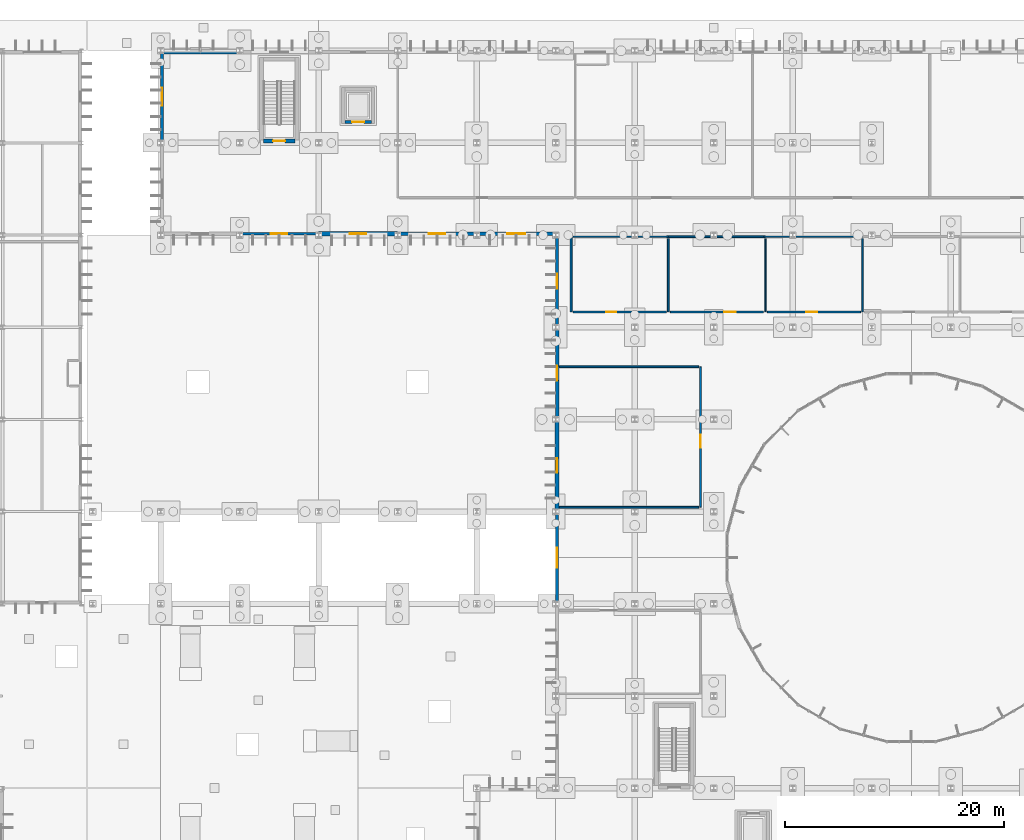
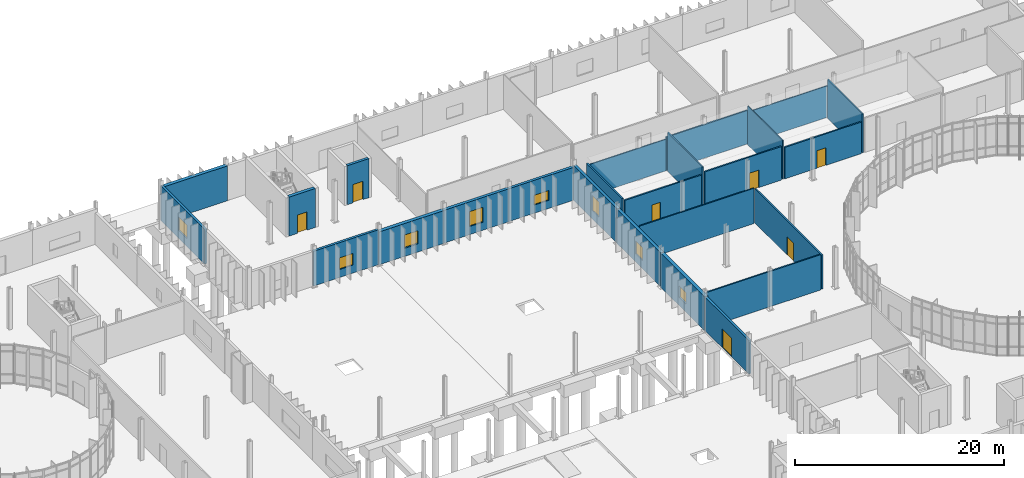
# One storey, part 96 of 118: 25 walls, 8 windows, 7 doors, 15 openings.
"""IFC4 building model written with IfcOpenShell, lengths in metres."""

from ifc_helpers import new_model, si_unit, direction, frame, frame_2d, origin, place, context, subcontext, project, spatial, rectangle, extrude, material, layer, layer_set, type_object, element, fill, save


model = new_model("IFC4")

# Units and contexts
model_context = context("Model", 3, precision=1e-05, world=origin(), true_north=direction((0.0, 1.0)))
body_context = subcontext(model_context, "Body", "Model", "MODEL_VIEW")
ifc_project = project(units=[si_unit("LENGTHUNIT", "METRE"), si_unit("AREAUNIT", "SQUARE_METRE"), si_unit("VOLUMEUNIT", "CUBIC_METRE"), si_unit("PLANEANGLEUNIT", "RADIAN"), si_unit("MASSUNIT", "GRAM", prefix="KILO")], contexts=[model_context])

# Site, building, storey
site_placement = place(None, origin())
site = spatial("IfcSite", under=ifc_project, at=site_placement, CompositionType="ELEMENT")
building_placement = place(site_placement, origin())
building = spatial("IfcBuilding", under=site, at=building_placement, Name="Qelthora Terrace Specialist Clinic", CompositionType="ELEMENT")
storey_placement = place(building_placement, origin())
storey = spatial("IfcBuildingStorey", under=building, at=storey_placement, Name="L00", CompositionType="ELEMENT", Elevation=0.0)

# Wall, opening, door
ifc_material_1 = material(Name="Concrete C40/50", Category="concrete")
ifc_layer_1 = layer(ifc_material_1, 0.300048828125)
ifc_layer_set_1 = layer_set([ifc_layer_1], Name="Concrete C40/50")
wall_type_1 = type_object("IfcWallType", Name="WAL-CORE-300-C40", PredefinedType="SHEAR", material=ifc_layer_set_1)
wall_1_placement = place(storey_placement, frame((74.39990234375, 102.699951171875, 0.0), z_axis=(0.0, 0.0, 1.0), x_axis=(1.0, 0.0, 0.0)))
wall_1 = element("IfcWall", 1, at=wall_1_placement, inside=storey, type_object=wall_type_1, Name="Lift PL-04 L00 south shaft wall", PredefinedType="SHEAR", context=body_context, shape_type="SweptSolid", body=[
    extrude(rectangle(XDim=2.400146484375, YDim=0.300048828125, at=frame_2d((1.2001953125, 0.0))), origin(), (0.0, 0.0, 1.0), 4.570068359375),
])
opening_1_placement = place(wall_1_placement, frame((0.64990234375, 0.0, 0.0)))
opening_1 = element("IfcOpeningElement", 2, at=opening_1_placement, cuts=wall_1, Name="Opening LD-PL-04-L00", PredefinedType="OPENING", context=body_context, shape_type="SweptSolid", body=[
    extrude(rectangle(XDim=1.10009765625, YDim=2.14990234375, at=frame_2d((0.550048828125, 1.074951171875))), frame((0.0, 0.159912109375, 0.0), z_axis=(0.0, -1.0, 0.0), x_axis=(1.0, 0.0, 0.0)), (0.0, 0.0, 1.0), 0.320068359375),
])
ifc_material_2 = material(Name="Steel S355", Category="steel")
door_type_1 = type_object("IfcDoorType", Name="DOR-LIFT-1100X2150", OperationType="NOTDEFINED", PredefinedType="DOOR", material=ifc_material_2)
door_1_placement = place(opening_1_placement, origin())
door_1 = element("IfcDoor", 3, at=door_1_placement, inside=storey, type_object=door_type_1, Name="Lift landing sliding door LD-PL-04-L00", OperationType="DOUBLE_DOOR_SLIDING", OverallHeight=2.14990234375, OverallWidth=1.10009765625, PredefinedType="DOOR", context=body_context, shape_type="SweptSolid", body=[
    extrude(rectangle(XDim=1.10009765625, YDim=2.14990234375, at=frame_2d((0.550048828125, 1.074951171875))), frame((0.0, 0.02490234375, 0.0), z_axis=(0.0, -1.0, 0.0), x_axis=(1.0, 0.0, 0.0)), (0.0, 0.0, 1.0), 0.050048828125),
])
fill(opening_1, door_1)

ifc_layer_2 = layer(ifc_material_1, 0.35009765625)
ifc_layer_set_2 = layer_set([ifc_layer_2], Name="Concrete C40/50")
wall_type_2 = type_object("IfcWallType", Name="WAL-CORE-350-C40", PredefinedType="SHEAR", material=ifc_layer_set_2)
wall_2_placement = place(storey_placement, frame((66.949951171875, 100.97509765625, 0.0), z_axis=(0.0, 0.0, 1.0), x_axis=(1.0, 0.0, 0.0)))
wall_2 = element("IfcWall", 4, at=wall_2_placement, inside=storey, type_object=wall_type_2, Name="ST-07 L00 south shear core wall", PredefinedType="SHEAR", context=body_context, shape_type="SweptSolid", body=[
    extrude(rectangle(XDim=2.900146484375, YDim=0.35009765625, at=frame_2d((1.4501953125, 0.0))), origin(), (0.0, 0.0, 1.0), 4.570068359375),
])
opening_2_placement = place(wall_2_placement, frame((0.89990234375, 0.0, 0.0)))
opening_2 = element("IfcOpeningElement", 5, at=opening_2_placement, cuts=wall_2, Name="Opening D-ST-07-L00", PredefinedType="OPENING", context=body_context, shape_type="SweptSolid", body=[
    extrude(rectangle(XDim=1.10009765625, YDim=2.14990234375, at=frame_2d((0.550048828125, 1.074951171875))), frame((0.0, 0.18505859375, 0.0), z_axis=(0.0, -1.0, 0.0), x_axis=(1.0, 0.0, 0.0)), (0.0, 0.0, 1.0), 0.3701171875),
])
door_type_2 = type_object("IfcDoorType", Name="DOR-STAIR-1100X2150", OperationType="NOTDEFINED", PredefinedType="DOOR", material=ifc_material_2)
door_2_placement = place(opening_2_placement, frame((1.10009765625, 0.0, 0.0), z_axis=(0.0, 0.0, 1.0), x_axis=(-1.0, 0.0, 0.0)))
door_2 = element("IfcDoor", 6, at=door_2_placement, inside=storey, type_object=door_type_2, Name="Stair fire door D-ST-07-L00", OperationType="SINGLE_SWING_LEFT", OverallHeight=2.14990234375, OverallWidth=1.10009765625, PredefinedType="DOOR", context=body_context, shape_type="SweptSolid", body=[
    extrude(rectangle(XDim=1.10009765625, YDim=2.14990234375, at=frame_2d((0.550048828125, 1.074951171875))), frame((0.0, 0.02490234375, 0.0), z_axis=(0.0, -1.0, 0.0), x_axis=(1.0, 0.0, 0.0)), (0.0, 0.0, 1.0), 0.050048828125),
])
fill(opening_2, door_2)

ifc_material_3 = material(Name="Precast concrete C40/50", Category="concrete")
ifc_layer_3 = layer(ifc_material_3, 0.260009765625)
ifc_layer_set_3 = layer_set([ifc_layer_3], Name="Precast concrete C40/50")
wall_type_3 = type_object("IfcWallType", Name="WAL-EXT-260-PC40", PredefinedType="SOLIDWALL", material=ifc_layer_set_3)
wall_3_placement = place(storey_placement, frame((93.719970703125, 58.800048828125, 0.0), z_axis=(0.0, 0.0, 1.0), x_axis=(0.0, 1.0, 0.0)))
wall_3 = element("IfcWall", 7, at=wall_3_placement, inside=storey, type_object=wall_type_3, Name="L00 external precast wall 14", PredefinedType="SOLIDWALL", context=body_context, shape_type="SweptSolid", body=[
    extrude(rectangle(XDim=8.39990234375, YDim=0.260009765625, at=frame_2d((4.199951171875, 0.0))), origin(), (0.0, 0.0, 1.0), 3.925048828125),
])
opening_3_placement = place(wall_3_placement, frame((3.300048828125, 0.0, 0.0)))
opening_3 = element("IfcOpeningElement", 8, at=opening_3_placement, cuts=wall_3, Name="Opening DE-V4CRT-01", PredefinedType="OPENING", context=body_context, shape_type="SweptSolid", body=[
    extrude(rectangle(XDim=1.800048828125, YDim=2.199951171875, at=frame_2d((0.89990234375, 1.10009765625))), frame((0.0, 0.139892578125, 0.0), z_axis=(0.0, -1.0, 0.0), x_axis=(1.0, 0.0, 0.0)), (0.0, 0.0, 1.0), 0.280029296875),
])
door_type_3 = type_object("IfcDoorType", Name="DOR-EXT-1800X2200", OperationType="NOTDEFINED", PredefinedType="DOOR", material=ifc_material_2)
door_3_placement = place(opening_3_placement, origin())
door_3 = element("IfcDoor", 9, at=door_3_placement, inside=storey, type_object=door_type_3, Name="Exterior entrance/exit door DE-V4CRT-01", OperationType="DOUBLE_DOOR_SINGLE_SWING", OverallHeight=2.199951171875, OverallWidth=1.800048828125, PredefinedType="DOOR", context=body_context, shape_type="SweptSolid", body=[
    extrude(rectangle(XDim=1.800048828125, YDim=2.199951171875, at=frame_2d((0.89990234375, 1.10009765625))), frame((0.0, 0.02490234375, 0.0), z_axis=(0.0, -1.0, 0.0), x_axis=(1.0, 0.0, 0.0)), (0.0, 0.0, 1.0), 0.050048828125),
])
fill(opening_3, door_3)

# Wall, opening, window
wall_4_placement = place(storey_placement, frame((64.800048828125, 92.52001953125, 0.0), z_axis=(0.0, 0.0, 1.0), x_axis=(1.0, 0.0, 0.0)))
wall_4 = element("IfcWall", 10, at=wall_4_placement, inside=storey, type_object=wall_type_3, Name="L00 external precast wall 19", PredefinedType="SOLIDWALL", context=body_context, shape_type="SweptSolid", body=[
    extrude(rectangle(XDim=7.199951171875, YDim=0.260009765625, at=frame_2d((3.60009765625, 0.0))), origin(), (0.0, 0.0, 1.0), 4.08203125),
])
opening_4_placement = place(wall_4_placement, frame((2.85009765625, 0.0, 0.949951171875)))
opening_4 = element("IfcOpeningElement", 11, at=opening_4_placement, cuts=wall_4, Name="Opening WN-L00-014", PredefinedType="OPENING", context=body_context, shape_type="SweptSolid", body=[
    extrude(rectangle(XDim=1.5, YDim=1.35009765625, at=frame_2d((0.75, 0.675048828125))), frame((0.0, 0.139892578125, 0.0), z_axis=(0.0, -1.0, 0.0), x_axis=(1.0, 0.0, 0.0)), (0.0, 0.0, 1.0), 0.280029296875),
])
ifc_material_4 = material(Name="Low-E triple-silver insulating glass", Category="glass")
window_type_1 = type_object("IfcWindowType", Name="WIN-1500X1350", PartitioningType="SINGLE_PANEL", PredefinedType="WINDOW", material=ifc_material_4)
window_1_placement = place(opening_4_placement, origin())
window_1 = element("IfcWindow", 12, at=window_1_placement, inside=storey, type_object=window_type_1, Name="Clinical window WN-L00-014", OverallHeight=1.35009765625, OverallWidth=1.5, PartitioningType="SINGLE_PANEL", PredefinedType="WINDOW", context=body_context, shape_type="SweptSolid", body=[
    extrude(rectangle(XDim=1.5, YDim=1.35009765625, at=frame_2d((0.75, 0.675048828125))), frame((0.0, 0.030029296875, 0.0), z_axis=(0.0, -1.0, 0.0), x_axis=(1.0, 0.0, 0.0)), (0.0, 0.0, 1.0), 0.06005859375),
])
fill(opening_4, window_1)

wall_5_placement = place(storey_placement, frame((57.719970703125, 100.800048828125, 0.0), z_axis=(0.0, 0.0, 1.0), x_axis=(0.0, 1.0, 0.0)))
wall_5 = element("IfcWall", 13, at=wall_5_placement, inside=storey, type_object=wall_type_3, Name="L00 external precast wall 24", PredefinedType="SOLIDWALL", context=body_context, shape_type="SweptSolid", body=[
    extrude(rectangle(XDim=8.39990234375, YDim=0.260009765625, at=frame_2d((4.199951171875, 0.0))), origin(), (0.0, 0.0, 1.0), 4.08203125),
])
opening_5_placement = place(wall_5_placement, frame((3.375, 0.0, 0.949951171875)))
opening_5 = element("IfcOpeningElement", 14, at=opening_5_placement, cuts=wall_5, Name="Opening WN-L00-019", PredefinedType="OPENING", context=body_context, shape_type="SweptSolid", body=[
    extrude(rectangle(XDim=1.64990234375, YDim=1.550048828125, at=frame_2d((0.824951171875, 0.77490234375))), frame((0.0, 0.139892578125, 0.0), z_axis=(0.0, -1.0, 0.0), x_axis=(1.0, 0.0, 0.0)), (0.0, 0.0, 1.0), 0.280029296875),
])
window_type_2 = type_object("IfcWindowType", Name="WIN-1650X1550", PartitioningType="DOUBLE_PANEL_VERTICAL", PredefinedType="WINDOW", material=ifc_material_4)
window_2_placement = place(opening_5_placement, origin())
window_2 = element("IfcWindow", 15, at=window_2_placement, inside=storey, type_object=window_type_2, Name="Clinical window WN-L00-019", OverallHeight=1.550048828125, OverallWidth=1.64990234375, PartitioningType="SINGLE_PANEL", PredefinedType="WINDOW", context=body_context, shape_type="SweptSolid", body=[
    extrude(rectangle(XDim=1.64990234375, YDim=1.550048828125, at=frame_2d((0.824951171875, 0.77490234375))), frame((0.0, 0.030029296875, 0.0), z_axis=(0.0, -1.0, 0.0), x_axis=(1.0, 0.0, 0.0)), (0.0, 0.0, 1.0), 0.06005859375),
])
fill(opening_5, window_2)

ifc_layer_4 = layer(ifc_material_3, 0.300048828125)
ifc_layer_set_4 = layer_set([ifc_layer_4], Name="Precast concrete C40/50")
wall_type_4 = type_object("IfcWallType", Name="WAL-EXT-300-PC40", PredefinedType="SOLIDWALL", material=ifc_layer_set_4)
wall_6_placement = place(storey_placement, frame((93.719970703125, 84.0, 0.0), z_axis=(0.0, 0.0, 1.0), x_axis=(0.0, 1.0, 0.0)))
wall_6 = element("IfcWall", 16, at=wall_6_placement, inside=storey, type_object=wall_type_4, Name="L00 external precast wall 17", PredefinedType="SOLIDWALL", context=body_context, shape_type="SweptSolid", body=[
    extrude(rectangle(XDim=8.39990234375, YDim=0.300048828125, at=frame_2d((4.199951171875, 0.0))), origin(), (0.0, 0.0, 1.0), 4.075927734375),
])
opening_6_placement = place(wall_6_placement, frame((3.52490234375, 0.0, 0.949951171875)))
opening_6 = element("IfcOpeningElement", 17, at=opening_6_placement, cuts=wall_6, Name="Opening WN-L00-012", PredefinedType="OPENING", context=body_context, shape_type="SweptSolid", body=[
    extrude(rectangle(XDim=1.35009765625, YDim=1.75, at=frame_2d((0.675048828125, 0.875))), frame((0.0, 0.159912109375, 0.0), z_axis=(0.0, -1.0, 0.0), x_axis=(1.0, 0.0, 0.0)), (0.0, 0.0, 1.0), 0.320068359375),
])
window_type_3 = type_object("IfcWindowType", Name="WIN-1350X1750", PartitioningType="SINGLE_PANEL", PredefinedType="WINDOW", material=ifc_material_4)
window_3_placement = place(opening_6_placement, origin())
window_3 = element("IfcWindow", 18, at=window_3_placement, inside=storey, type_object=window_type_3, Name="Clinical window WN-L00-012", OverallHeight=1.75, OverallWidth=1.35009765625, PartitioningType="SINGLE_PANEL", PredefinedType="WINDOW", context=body_context, shape_type="SweptSolid", body=[
    extrude(rectangle(XDim=1.35009765625, YDim=1.75, at=frame_2d((0.675048828125, 0.875))), frame((0.0, 0.030029296875, 0.0), z_axis=(0.0, -1.0, 0.0), x_axis=(1.0, 0.0, 0.0)), (0.0, 0.0, 1.0), 0.06005859375),
])
fill(opening_6, window_3)

wall_7_placement = place(storey_placement, frame((86.39990234375, 92.52001953125, 0.0), z_axis=(0.0, 0.0, 1.0), x_axis=(1.0, 0.0, 0.0)))
wall_7 = element("IfcWall", 19, at=wall_7_placement, inside=storey, type_object=wall_type_4, Name="L00 external precast wall 22", PredefinedType="SOLIDWALL", context=body_context, shape_type="SweptSolid", body=[
    extrude(rectangle(XDim=7.2001953125, YDim=0.300048828125, at=frame_2d((3.60009765625, 0.0))), origin(), (0.0, 0.0, 1.0), 3.84912109375),
])
opening_7_placement = place(wall_7_placement, frame((2.77490234375, 0.0, 0.949951171875)))
opening_7 = element("IfcOpeningElement", 20, at=opening_7_placement, cuts=wall_7, Name="Opening WN-L00-017", PredefinedType="OPENING", context=body_context, shape_type="SweptSolid", body=[
    extrude(rectangle(XDim=1.64990234375, YDim=1.14990234375, at=frame_2d((0.824951171875, 0.574951171875))), frame((0.0, 0.159912109375, 0.0), z_axis=(0.0, -1.0, 0.0), x_axis=(1.0, 0.0, 0.0)), (0.0, 0.0, 1.0), 0.320068359375),
])
window_type_4 = type_object("IfcWindowType", Name="WIN-1650X1150", PartitioningType="DOUBLE_PANEL_VERTICAL", PredefinedType="WINDOW", material=ifc_material_4)
window_4_placement = place(opening_7_placement, origin())
window_4 = element("IfcWindow", 21, at=window_4_placement, inside=storey, type_object=window_type_4, Name="Clinical window WN-L00-017", OverallHeight=1.14990234375, OverallWidth=1.64990234375, PartitioningType="SINGLE_PANEL", PredefinedType="WINDOW", context=body_context, shape_type="SweptSolid", body=[
    extrude(rectangle(XDim=1.64990234375, YDim=1.14990234375, at=frame_2d((0.824951171875, 0.574951171875))), frame((0.0, 0.030029296875, 0.0), z_axis=(0.0, -1.0, 0.0), x_axis=(1.0, 0.0, 0.0)), (0.0, 0.0, 1.0), 0.06005859375),
])
fill(opening_7, window_4)

ifc_layer_5 = layer(ifc_material_3, 0.320068359375)
ifc_layer_set_5 = layer_set([ifc_layer_5], Name="Precast concrete C40/50")
wall_type_5 = type_object("IfcWallType", Name="WAL-EXT-320-PC40", PredefinedType="SOLIDWALL", material=ifc_layer_set_5)
wall_8_placement = place(storey_placement, frame((93.719970703125, 75.60009765625, 0.0), z_axis=(0.0, 0.0, 1.0), x_axis=(0.0, 1.0, 0.0)))
wall_8 = element("IfcWall", 22, at=wall_8_placement, inside=storey, type_object=wall_type_5, Name="L00 external precast wall 16", PredefinedType="SOLIDWALL", context=body_context, shape_type="SweptSolid", body=[
    extrude(rectangle(XDim=8.39990234375, YDim=0.320068359375, at=frame_2d((4.199951171875, 0.0))), origin(), (0.0, 0.0, 1.0), 4.0048828125),
])
opening_8_placement = place(wall_8_placement, frame((3.52490234375, 0.0, 0.949951171875)))
opening_8 = element("IfcOpeningElement", 23, at=opening_8_placement, cuts=wall_8, Name="Opening WN-L00-011", PredefinedType="OPENING", context=body_context, shape_type="SweptSolid", body=[
    extrude(rectangle(XDim=1.35009765625, YDim=1.550048828125, at=frame_2d((0.675048828125, 0.77490234375))), frame((0.0, 0.169921875, 0.0), z_axis=(0.0, -1.0, 0.0), x_axis=(1.0, 0.0, 0.0)), (0.0, 0.0, 1.0), 0.340087890625),
])
window_type_5 = type_object("IfcWindowType", Name="WIN-1350X1550", PartitioningType="SINGLE_PANEL", PredefinedType="WINDOW", material=ifc_material_4)
window_5_placement = place(opening_8_placement, origin())
window_5 = element("IfcWindow", 24, at=window_5_placement, inside=storey, type_object=window_type_5, Name="Clinical window WN-L00-011", OverallHeight=1.550048828125, OverallWidth=1.35009765625, PartitioningType="SINGLE_PANEL", PredefinedType="WINDOW", context=body_context, shape_type="SweptSolid", body=[
    extrude(rectangle(XDim=1.35009765625, YDim=1.550048828125, at=frame_2d((0.675048828125, 0.77490234375))), frame((0.0, 0.030029296875, 0.0), z_axis=(0.0, -1.0, 0.0), x_axis=(1.0, 0.0, 0.0)), (0.0, 0.0, 1.0), 0.06005859375),
])
fill(opening_8, window_5)

wall_9_placement = place(storey_placement, frame((79.199951171875, 92.52001953125, 0.0), z_axis=(0.0, 0.0, 1.0), x_axis=(1.0, 0.0, 0.0)))
wall_9 = element("IfcWall", 25, at=wall_9_placement, inside=storey, type_object=wall_type_5, Name="L00 external precast wall 21", PredefinedType="SOLIDWALL", context=body_context, shape_type="SweptSolid", body=[
    extrude(rectangle(XDim=7.199951171875, YDim=0.320068359375, at=frame_2d((3.60009765625, 0.0))), origin(), (0.0, 0.0, 1.0), 3.84912109375),
])
opening_9_placement = place(wall_9_placement, frame((2.85009765625, 0.0, 0.949951171875)))
opening_9 = element("IfcOpeningElement", 26, at=opening_9_placement, cuts=wall_9, Name="Opening WN-L00-016", PredefinedType="OPENING", context=body_context, shape_type="SweptSolid", body=[
    extrude(rectangle(XDim=1.5, YDim=1.75, at=frame_2d((0.75, 0.875))), frame((0.0, 0.169921875, 0.0), z_axis=(0.0, -1.0, 0.0), x_axis=(1.0, 0.0, 0.0)), (0.0, 0.0, 1.0), 0.340087890625),
])
window_type_6 = type_object("IfcWindowType", Name="WIN-1500X1750", PartitioningType="SINGLE_PANEL", PredefinedType="WINDOW", material=ifc_material_4)
window_6_placement = place(opening_9_placement, origin())
window_6 = element("IfcWindow", 27, at=window_6_placement, inside=storey, type_object=window_type_6, Name="Clinical window WN-L00-016", OverallHeight=1.75, OverallWidth=1.5, PartitioningType="SINGLE_PANEL", PredefinedType="WINDOW", context=body_context, shape_type="SweptSolid", body=[
    extrude(rectangle(XDim=1.5, YDim=1.75, at=frame_2d((0.75, 0.875))), frame((0.0, 0.030029296875, 0.0), z_axis=(0.0, -1.0, 0.0), x_axis=(1.0, 0.0, 0.0)), (0.0, 0.0, 1.0), 0.06005859375),
])
fill(opening_9, window_6)

ifc_layer_6 = layer(ifc_material_3, 0.3798828125)
ifc_layer_set_6 = layer_set([ifc_layer_6], Name="Precast concrete C40/50")
wall_type_6 = type_object("IfcWallType", Name="WAL-EXT-380-PC40", PredefinedType="SOLIDWALL", material=ifc_layer_set_6)
wall_10_placement = place(storey_placement, frame((93.719970703125, 67.199951171875, 0.0), z_axis=(0.0, 0.0, 1.0), x_axis=(0.0, 1.0, 0.0)))
wall_10 = element("IfcWall", 28, at=wall_10_placement, inside=storey, type_object=wall_type_6, Name="L00 external precast wall 15", PredefinedType="SOLIDWALL", context=body_context, shape_type="SweptSolid", body=[
    extrude(rectangle(XDim=8.400146484375, YDim=0.3798828125, at=frame_2d((4.2001953125, 0.0))), origin(), (0.0, 0.0, 1.0), 3.998046875),
])
opening_10_placement = place(wall_10_placement, frame((3.52490234375, 0.0, 0.949951171875)))
opening_10 = element("IfcOpeningElement", 29, at=opening_10_placement, cuts=wall_10, Name="Opening WN-L00-010", PredefinedType="OPENING", context=body_context, shape_type="SweptSolid", body=[
    extrude(rectangle(XDim=1.35009765625, YDim=1.35009765625, at=frame_2d((0.675048828125, 0.675048828125))), frame((0.0, 0.199951171875, 0.0), z_axis=(0.0, -1.0, 0.0), x_axis=(1.0, 0.0, 0.0)), (0.0, 0.0, 1.0), 0.39990234375),
])
window_type_7 = type_object("IfcWindowType", Name="WIN-1350X1350", PartitioningType="SINGLE_PANEL", PredefinedType="WINDOW", material=ifc_material_4)
window_7_placement = place(opening_10_placement, origin())
window_7 = element("IfcWindow", 30, at=window_7_placement, inside=storey, type_object=window_type_7, Name="Clinical window WN-L00-010", OverallHeight=1.35009765625, OverallWidth=1.35009765625, PartitioningType="SINGLE_PANEL", PredefinedType="WINDOW", context=body_context, shape_type="SweptSolid", body=[
    extrude(rectangle(XDim=1.35009765625, YDim=1.35009765625, at=frame_2d((0.675048828125, 0.675048828125))), frame((0.0, 0.030029296875, 0.0), z_axis=(0.0, -1.0, 0.0), x_axis=(1.0, 0.0, 0.0)), (0.0, 0.0, 1.0), 0.06005859375),
])
fill(opening_10, window_7)

wall_11_placement = place(storey_placement, frame((72.0, 92.52001953125, 0.0), z_axis=(0.0, 0.0, 1.0), x_axis=(1.0, 0.0, 0.0)))
wall_11 = element("IfcWall", 31, at=wall_11_placement, inside=storey, type_object=wall_type_6, Name="L00 external precast wall 20", PredefinedType="SOLIDWALL", context=body_context, shape_type="SweptSolid", body=[
    extrude(rectangle(XDim=7.199951171875, YDim=0.3798828125, at=frame_2d((3.60009765625, 0.0))), origin(), (0.0, 0.0, 1.0), 3.84912109375),
])
opening_11_placement = place(wall_11_placement, frame((2.85009765625, 0.0, 0.949951171875)))
opening_11 = element("IfcOpeningElement", 32, at=opening_11_placement, cuts=wall_11, Name="Opening WN-L00-015", PredefinedType="OPENING", context=body_context, shape_type="SweptSolid", body=[
    extrude(rectangle(XDim=1.5, YDim=1.550048828125, at=frame_2d((0.75, 0.77490234375))), frame((0.0, 0.199951171875, 0.0), z_axis=(0.0, -1.0, 0.0), x_axis=(1.0, 0.0, 0.0)), (0.0, 0.0, 1.0), 0.39990234375),
])
window_type_8 = type_object("IfcWindowType", Name="WIN-1500X1550", PartitioningType="SINGLE_PANEL", PredefinedType="WINDOW", material=ifc_material_4)
window_8_placement = place(opening_11_placement, origin())
window_8 = element("IfcWindow", 33, at=window_8_placement, inside=storey, type_object=window_type_8, Name="Clinical window WN-L00-015", OverallHeight=1.550048828125, OverallWidth=1.5, PartitioningType="SINGLE_PANEL", PredefinedType="WINDOW", context=body_context, shape_type="SweptSolid", body=[
    extrude(rectangle(XDim=1.5, YDim=1.550048828125, at=frame_2d((0.75, 0.77490234375))), frame((0.0, 0.030029296875, 0.0), z_axis=(0.0, -1.0, 0.0), x_axis=(1.0, 0.0, 0.0)), (0.0, 0.0, 1.0), 0.06005859375),
])
fill(opening_11, window_8)

# Walls
wall_12_placement = place(storey_placement, frame((57.60009765625, 109.080078125, 0.0), z_axis=(0.0, 0.0, 1.0), x_axis=(1.0, 0.0, 0.0)))
element("IfcWall", 34, at=wall_12_placement, inside=storey, type_object=wall_type_6, Name="L00 external precast wall 25", PredefinedType="SOLIDWALL", context=body_context, shape_type="SweptSolid", body=[
    extrude(rectangle(XDim=7.199951171875, YDim=0.3798828125, at=frame_2d((3.60009765625, 0.0))), origin(), (0.0, 0.0, 1.0), 4.08203125),
])
ifc_material_5 = material(Name="Gypsum acoustic wallboard", Category="gypsum")
ifc_layer_7 = layer(ifc_material_5, 0.139892578125)
ifc_layer_set_7 = layer_set([ifc_layer_7], Name="Gypsum acoustic wallboard")
wall_type_7 = type_object("IfcWallType", Name="WAL-INT-ACU-140", PredefinedType="PARTITIONING", material=ifc_layer_set_7)
wall_13_placement = place(storey_placement, frame((121.5712890625, 92.070068359375, 0.0), z_axis=(0.0, 0.0, 1.0), x_axis=(0.0, -1.0, 0.0)))
element("IfcWall", 35, at=wall_13_placement, inside=storey, type_object=wall_type_7, Name="Interior clinical partition IWAL-L00-0102", PredefinedType="PARTITIONING", context=body_context, shape_type="SweptSolid", body=[
    extrude(rectangle(XDim=6.670166015625, YDim=0.139892578125, at=frame_2d((3.3349609375, 0.0))), origin(), (0.0, 0.0, 1.0), 4.544921875),
])
wall_14_placement = place(storey_placement, frame((93.93994140625, 80.39990234375, 0.0), z_axis=(0.0, 0.0, 1.0), x_axis=(1.0, 0.0, 0.0)))
element("IfcWall", 36, at=wall_14_placement, inside=storey, type_object=wall_type_7, Name="Interior clinical partition IWAL-L00-0117", PredefinedType="PARTITIONING", context=body_context, shape_type="SweptSolid", body=[
    extrude(rectangle(XDim=12.68017578125, YDim=0.139892578125, at=frame_2d((6.340087890625, 0.0))), origin(), (0.0, 0.0, 1.0), 4.135009765625),
])
ifc_material_6 = material(Name="Gypsum fire-rated wallboard", Category="gypsum")
ifc_layer_8 = layer(ifc_material_6, 0.179931640625)
ifc_layer_set_8 = layer_set([ifc_layer_8], Name="Gypsum fire-rated wallboard")
wall_type_8 = type_object("IfcWallType", Name="WAL-INT-CLN-180", PredefinedType="PARTITIONING", material=ifc_layer_set_8)
wall_15_placement = place(storey_placement, frame((95.0, 85.39990234375, 0.0), z_axis=(0.0, 0.0, 1.0), x_axis=(0.0, 1.0, 0.0)))
element("IfcWall", 37, at=wall_15_placement, inside=storey, type_object=wall_type_8, Name="Interior clinical partition IWAL-L00-0094", PredefinedType="PARTITIONING", context=body_context, shape_type="SweptSolid", body=[
    extrude(rectangle(XDim=6.85009765625, YDim=0.179931640625, at=frame_2d((3.425048828125, 0.0))), origin(), (0.0, 0.0, 1.0), 3.927978515625),
])

# Wall, opening, door
ifc_layer_9 = layer(ifc_material_6, 0.159912109375)
ifc_layer_set_9 = layer_set([ifc_layer_9], Name="Gypsum fire-rated wallboard")
wall_type_9 = type_object("IfcWallType", Name="WAL-INT-COR-160", PredefinedType="PARTITIONING", material=ifc_layer_set_9)
wall_16_placement = place(storey_placement, frame((103.677001953125, 85.39990234375, 0.0), z_axis=(0.0, 0.0, 1.0), x_axis=(-1.0, 0.0, 0.0)))
wall_16 = element("IfcWall", 38, at=wall_16_placement, inside=storey, type_object=wall_type_9, Name="Interior clinical partition IWAL-L00-0097", PredefinedType="PARTITIONING", context=body_context, shape_type="SweptSolid", body=[
    extrude(rectangle(XDim=8.4970703125, YDim=0.159912109375, at=frame_2d((4.24853515625, 0.0))), origin(), (0.0, 0.0, 1.0), 3.694091796875),
])
opening_12_placement = place(wall_16_placement, frame((4.548583984375, 0.0, 0.0)))
opening_12 = element("IfcOpeningElement", 39, at=opening_12_placement, cuts=wall_16, Name="Opening DI-L00-0038", PredefinedType="OPENING", context=body_context, shape_type="SweptSolid", body=[
    extrude(rectangle(XDim=0.919921875, YDim=2.10009765625, at=frame_2d((0.4599609375, 1.050048828125))), frame((0.0, 0.08984375, 0.0), z_axis=(0.0, -1.0, 0.0), x_axis=(1.0, 0.0, 0.0)), (0.0, 0.0, 1.0), 0.179931640625),
])
ifc_material_7 = material(Name="Glulam timber GL28h", Category="wood")
door_type_4 = type_object("IfcDoorType", Name="DOR-CON-920X2100", OperationType="NOTDEFINED", PredefinedType="DOOR", material=ifc_material_7)
door_4_placement = place(opening_12_placement, frame((0.919921875, 0.0, 0.0), z_axis=(0.0, 0.0, 1.0), x_axis=(-1.0, 0.0, 0.0)))
door_4 = element("IfcDoor", 40, at=door_4_placement, inside=storey, type_object=door_type_4, Name="Interior clinical door DI-L00-0038", OperationType="SINGLE_SWING_LEFT", OverallHeight=2.10009765625, OverallWidth=0.919921875, PredefinedType="DOOR", context=body_context, shape_type="SweptSolid", body=[
    extrude(rectangle(XDim=0.919921875, YDim=2.10009765625, at=frame_2d((0.4599609375, 1.050048828125))), frame((0.0, 0.02490234375, 0.0), z_axis=(0.0, -1.0, 0.0), x_axis=(1.0, 0.0, 0.0)), (0.0, 0.0, 1.0), 0.050048828125),
])
fill(opening_12, door_4)

wall_17_placement = place(storey_placement, frame((112.5341796875, 85.39990234375, 0.0), z_axis=(0.0, 0.0, 1.0), x_axis=(-1.0, 0.0, 0.0)))
wall_17 = element("IfcWall", 41, at=wall_17_placement, inside=storey, type_object=wall_type_9, Name="Interior clinical partition IWAL-L00-0100", PredefinedType="PARTITIONING", context=body_context, shape_type="SweptSolid", body=[
    extrude(rectangle(XDim=8.4970703125, YDim=0.159912109375, at=frame_2d((4.24853515625, 0.0))), origin(), (0.0, 0.0, 1.0), 3.927978515625),
])
opening_13_placement = place(wall_17_placement, frame((2.5185546875, 0.0, 0.0)))
opening_13 = element("IfcOpeningElement", 42, at=opening_13_placement, cuts=wall_17, Name="Opening DI-L00-0039", PredefinedType="OPENING", context=body_context, shape_type="SweptSolid", body=[
    extrude(rectangle(XDim=1.06005859375, YDim=2.050048828125, at=frame_2d((0.530029296875, 1.02490234375))), frame((0.0, 0.08984375, 0.0), z_axis=(0.0, -1.0, 0.0), x_axis=(1.0, 0.0, 0.0)), (0.0, 0.0, 1.0), 0.179931640625),
])
door_type_5 = type_object("IfcDoorType", Name="DOR-CON-1060X2050", OperationType="NOTDEFINED", PredefinedType="DOOR", material=ifc_material_7)
door_5_placement = place(opening_13_placement, frame((1.06005859375, 0.0, 0.0), z_axis=(0.0, 0.0, 1.0), x_axis=(-1.0, 0.0, 0.0)))
door_5 = element("IfcDoor", 43, at=door_5_placement, inside=storey, type_object=door_type_5, Name="Interior clinical door DI-L00-0039", OperationType="SINGLE_SWING_RIGHT", OverallHeight=2.050048828125, OverallWidth=1.06005859375, PredefinedType="DOOR", context=body_context, shape_type="SweptSolid", body=[
    extrude(rectangle(XDim=1.06005859375, YDim=2.050048828125, at=frame_2d((0.530029296875, 1.02490234375))), frame((0.0, 0.02490234375, 0.0), z_axis=(0.0, -1.0, 0.0), x_axis=(1.0, 0.0, 0.0)), (0.0, 0.0, 1.0), 0.050048828125),
])
fill(opening_13, door_5)

wall_18_placement = place(storey_placement, frame((121.391357421875, 85.39990234375, 0.0), z_axis=(0.0, 0.0, 1.0), x_axis=(-1.0, 0.0, 0.0)))
wall_18 = element("IfcWall", 44, at=wall_18_placement, inside=storey, type_object=wall_type_9, Name="Interior clinical partition IWAL-L00-0103", PredefinedType="PARTITIONING", context=body_context, shape_type="SweptSolid", body=[
    extrude(rectangle(XDim=8.4970703125, YDim=0.159912109375, at=frame_2d((4.24853515625, 0.0))), origin(), (0.0, 0.0, 1.0), 3.694091796875),
])
opening_14_placement = place(wall_18_placement, frame((3.9384765625, 0.0, 0.0)))
opening_14 = element("IfcOpeningElement", 45, at=opening_14_placement, cuts=wall_18, Name="Opening DI-L00-0040", PredefinedType="OPENING", context=body_context, shape_type="SweptSolid", body=[
    extrude(rectangle(XDim=1.02001953125, YDim=2.050048828125, at=frame_2d((0.510009765625, 1.02490234375))), frame((0.0, 0.08984375, 0.0), z_axis=(0.0, -1.0, 0.0), x_axis=(1.0, 0.0, 0.0)), (0.0, 0.0, 1.0), 0.179931640625),
])
door_type_6 = type_object("IfcDoorType", Name="DOR-CON-1020X2050", OperationType="NOTDEFINED", PredefinedType="DOOR", material=ifc_material_7)
door_6_placement = place(opening_14_placement, frame((1.02001953125, 0.0, 0.0), z_axis=(0.0, 0.0, 1.0), x_axis=(-1.0, 0.0, 0.0)))
door_6 = element("IfcDoor", 46, at=door_6_placement, inside=storey, type_object=door_type_6, Name="Interior clinical door DI-L00-0040", OperationType="SINGLE_SWING_LEFT", OverallHeight=2.050048828125, OverallWidth=1.02001953125, PredefinedType="DOOR", context=body_context, shape_type="SweptSolid", body=[
    extrude(rectangle(XDim=1.02001953125, YDim=2.050048828125, at=frame_2d((0.510009765625, 1.02490234375))), frame((0.0, 0.02490234375, 0.0), z_axis=(0.0, -1.0, 0.0), x_axis=(1.0, 0.0, 0.0)), (0.0, 0.0, 1.0), 0.050048828125),
])
fill(opening_14, door_6)

wall_19_placement = place(storey_placement, frame((106.800048828125, 80.39990234375, 0.0), z_axis=(0.0, 0.0, 1.0), x_axis=(0.0, -1.0, 0.0)))
wall_19 = element("IfcWall", 47, at=wall_19_placement, inside=storey, type_object=wall_type_9, Name="Interior clinical partition IWAL-L00-0115", PredefinedType="PARTITIONING", context=body_context, shape_type="SweptSolid", body=[
    extrude(rectangle(XDim=12.7998046875, YDim=0.159912109375, at=frame_2d((6.39990234375, 0.0))), origin(), (0.0, 0.0, 1.0), 4.008056640625),
])
opening_15_placement = place(wall_19_placement, frame((6.199951171875, 0.0, 0.0)))
opening_15 = element("IfcOpeningElement", 48, at=opening_15_placement, cuts=wall_19, Name="Opening DI-L00-0045", PredefinedType="OPENING", context=body_context, shape_type="SweptSolid", body=[
    extrude(rectangle(XDim=1.199951171875, YDim=2.14990234375, at=frame_2d((0.60009765625, 1.074951171875))), frame((0.0, 0.08984375, 0.0), z_axis=(0.0, -1.0, 0.0), x_axis=(1.0, 0.0, 0.0)), (0.0, 0.0, 1.0), 0.179931640625),
])
door_type_7 = type_object("IfcDoorType", Name="DOR-LAB-1200X2150", OperationType="NOTDEFINED", PredefinedType="DOOR", material=ifc_material_2)
door_7_placement = place(opening_15_placement, frame((1.199951171875, 0.0, 0.0), z_axis=(0.0, 0.0, 1.0), x_axis=(-1.0, 0.0, 0.0)))
door_7 = element("IfcDoor", 49, at=door_7_placement, inside=storey, type_object=door_type_7, Name="Interior clinical door DI-L00-0045", OperationType="SINGLE_SWING_RIGHT", OverallHeight=2.14990234375, OverallWidth=1.199951171875, PredefinedType="DOOR", context=body_context, shape_type="SweptSolid", body=[
    extrude(rectangle(XDim=1.199951171875, YDim=2.14990234375, at=frame_2d((0.60009765625, 1.074951171875))), frame((0.0, 0.02490234375, 0.0), z_axis=(0.0, -1.0, 0.0), x_axis=(1.0, 0.0, 0.0)), (0.0, 0.0, 1.0), 0.050048828125),
])
fill(opening_15, door_7)

# Walls
ifc_layer_10 = layer(ifc_material_4, 0.110107421875)
ifc_layer_set_10 = layer_set([ifc_layer_10], Name="Low-E triple-silver insulating glass")
wall_type_10 = type_object("IfcWallType", Name="WAL-INT-GLA-110", PredefinedType="MOVABLE", material=ifc_layer_set_10)
wall_20_placement = place(storey_placement, frame((95.179931640625, 92.25, 0.0), z_axis=(0.0, 0.0, 1.0), x_axis=(1.0, 0.0, 0.0)))
element("IfcWall", 50, at=wall_20_placement, inside=storey, type_object=wall_type_10, Name="Interior clinical partition IWAL-L00-0095", PredefinedType="MOVABLE", context=body_context, shape_type="SweptSolid", body=[
    extrude(rectangle(XDim=8.67724609375, YDim=0.110107421875, at=frame_2d((4.338623046875, 0.0))), origin(), (0.0, 0.0, 1.0), 3.694091796875),
])
ifc_layer_11 = layer(ifc_material_5, 0.10009765625)
ifc_layer_set_11 = layer_set([ifc_layer_11], Name="Gypsum acoustic wallboard")
wall_type_11 = type_object("IfcWallType", Name="WAL-INT-LGT-100", PredefinedType="PARTITIONING", material=ifc_layer_set_11)
wall_21_placement = place(storey_placement, frame((112.71435546875, 92.070068359375, 0.0), z_axis=(0.0, 0.0, 1.0), x_axis=(0.0, -1.0, 0.0)))
element("IfcWall", 51, at=wall_21_placement, inside=storey, type_object=wall_type_11, Name="Interior clinical partition IWAL-L00-0099", PredefinedType="PARTITIONING", context=body_context, shape_type="SweptSolid", body=[
    extrude(rectangle(XDim=6.670166015625, YDim=0.10009765625, at=frame_2d((3.3349609375, 0.0))), origin(), (0.0, 0.0, 1.0), 4.544921875),
])
wall_22_placement = place(storey_placement, frame((112.579345703125, 92.25, 0.0), z_axis=(0.0, 0.0, 1.0), x_axis=(1.0, 0.0, 0.0)))
element("IfcWall", 52, at=wall_22_placement, inside=storey, type_object=wall_type_11, Name="Interior clinical partition IWAL-L00-0101", PredefinedType="PARTITIONING", context=body_context, shape_type="SweptSolid", body=[
    extrude(rectangle(XDim=8.991943359375, YDim=0.10009765625, at=frame_2d((4.49609375, 0.0))), origin(), (0.0, 0.0, 1.0), 3.694091796875),
])
ifc_material_8 = material(Name="Gypsum moisture-resistant", Category="gypsum")
ifc_layer_12 = layer(ifc_material_8, 0.14990234375)
ifc_layer_set_12 = layer_set([ifc_layer_12], Name="Gypsum moisture-resistant")
wall_type_12 = type_object("IfcWallType", Name="WAL-INT-WET-150", PredefinedType="PLUMBINGWALL", material=ifc_layer_set_12)
wall_23_placement = place(storey_placement, frame((103.857177734375, 92.070068359375, 0.0), z_axis=(0.0, 0.0, 1.0), x_axis=(0.0, -1.0, 0.0)))
element("IfcWall", 53, at=wall_23_placement, inside=storey, type_object=wall_type_12, Name="Interior clinical partition IWAL-L00-0096", PredefinedType="PLUMBINGWALL", context=body_context, shape_type="SweptSolid", body=[
    extrude(rectangle(XDim=6.670166015625, YDim=0.14990234375, at=frame_2d((3.3349609375, 0.0))), origin(), (0.0, 0.0, 1.0), 4.544921875),
])
wall_24_placement = place(storey_placement, frame((103.72216796875, 92.25, 0.0), z_axis=(0.0, 0.0, 1.0), x_axis=(1.0, 0.0, 0.0)))
element("IfcWall", 54, at=wall_24_placement, inside=storey, type_object=wall_type_12, Name="Interior clinical partition IWAL-L00-0098", PredefinedType="PLUMBINGWALL", context=body_context, shape_type="SweptSolid", body=[
    extrude(rectangle(XDim=8.9921875, YDim=0.14990234375, at=frame_2d((4.49609375, 0.0))), origin(), (0.0, 0.0, 1.0), 3.927978515625),
])
wall_25_placement = place(storey_placement, frame((106.6201171875, 67.60009765625, 0.0), z_axis=(0.0, 0.0, 1.0), x_axis=(-1.0, 0.0, 0.0)))
element("IfcWall", 55, at=wall_25_placement, inside=storey, type_object=wall_type_12, Name="Interior clinical partition IWAL-L00-0116", PredefinedType="PLUMBINGWALL", context=body_context, shape_type="SweptSolid", body=[
    extrude(rectangle(XDim=12.68017578125, YDim=0.14990234375, at=frame_2d((6.340087890625, 0.0))), origin(), (0.0, 0.0, 1.0), 4.132080078125),
])

save(model, "model.ifc")
